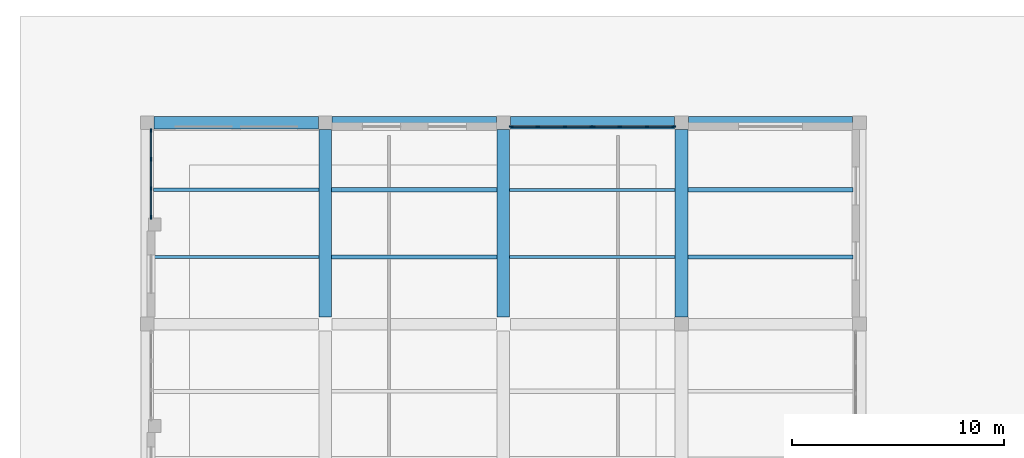
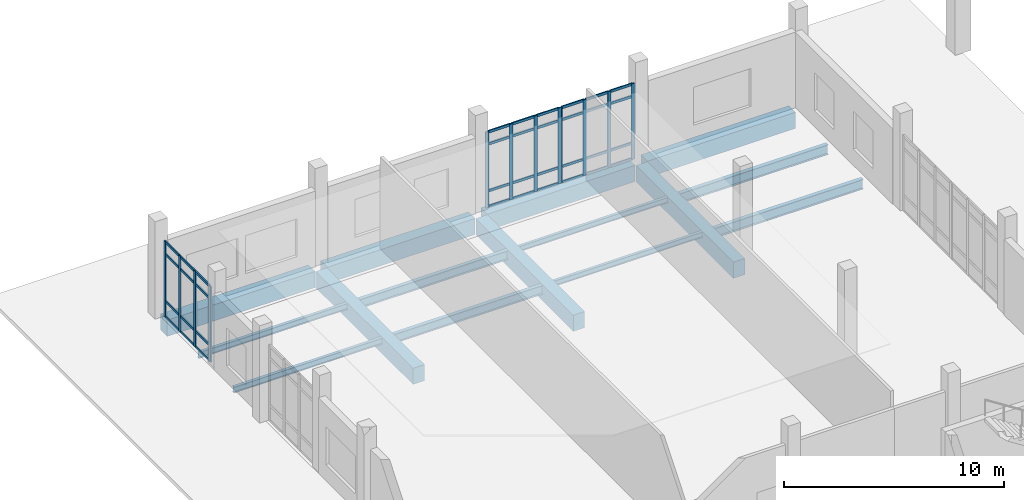
# One storey, part 24 of 79: 48 members, 15 beams, 3 elements without a shape of their own.
"""IFC4 building model written with IfcOpenShell, lengths in metres."""

from ifc_helpers import new_model, si_unit, direction, frame, origin, origin_2d, place, context, subcontext, project, spatial, rectangle, i_section, extrude, material, layer, layer_set, material_profile, profile_set, type_object, element, aggregate, save


model = new_model("IFC4")

# Units and contexts
model_context = context("Model", 3, precision=1e-05, world=origin(), true_north=direction((0.0, 1.0)))
body_context = subcontext(model_context, "Body", "Model", "MODEL_VIEW")
ifc_project = project(units=[si_unit("LENGTHUNIT", "METRE"), si_unit("AREAUNIT", "SQUARE_METRE"), si_unit("VOLUMEUNIT", "CUBIC_METRE"), si_unit("PLANEANGLEUNIT", "RADIAN"), si_unit("MASSUNIT", "GRAM", prefix="KILO")], contexts=[model_context])

# Site, building, storey
site_placement = place(None, origin())
site = spatial("IfcSite", under=ifc_project, at=site_placement, CompositionType="ELEMENT")
building_placement = place(site_placement, origin())
building = spatial("IfcBuilding", under=site, at=building_placement, Name="Kelarvand Opera House", CompositionType="ELEMENT")
storey_placement = place(building_placement, origin())
storey = spatial("IfcBuildingStorey", under=building, at=storey_placement, Name="L00", CompositionType="ELEMENT", Elevation=0.0)

# Curtain wall, members
ifc_material_1 = material(Name="Thermally broken aluminium and low-E glazing", Category="aluminium")
ifc_layer_1 = layer(ifc_material_1, 0.179931640625, Name="Thermally broken aluminium and low-E glazing", Category="aluminium")
ifc_layer_set_1 = layer_set([ifc_layer_1], Name="Thermally broken aluminium and low-E glazing")
curtain_wall_type_1 = type_object("IfcCurtainWallType", Name="Unitised Low-E Curtain Wall 3861x4200 Mod 1350 CWF-12", PredefinedType="USERDEFINED", material=ifc_layer_set_1)
curtain_wall_1_placement = place(storey_placement, origin())
curtain_wall_1 = element("IfcCurtainWall", 1, at=curtain_wall_1_placement, inside=storey, type_object=curtain_wall_type_1, Name="V3 L00 Curtain Wall CWF-12 (41)", ObjectType="UNITISED CURTAIN WALL", PredefinedType="USERDEFINED")
ifc_material_2 = material(Name="Thermally broken anodised aluminium", Category="aluminium")
ifc_material_profile_1 = material_profile(ifc_material_2, rectangle(XDim=0.06494140625, YDim=0.179931640625, at=origin_2d()), Name="ALU MULLION 65x180", Category="aluminium")
ifc_profile_set_1 = profile_set([ifc_material_profile_1], Name="Thermally broken anodised aluminium")
member_type_1 = type_object("IfcMemberType", Name="Curtain Wall Mullion 65x180 Aluminium", PredefinedType="MULLION", material=ifc_profile_set_1)
member_1_placement = place(storey_placement, frame((26.16748046875, 124.820068359375, 0.0), z_axis=(0.0, 0.0, 1.0), x_axis=(0.0, 1.0, 0.0)))
member_1 = element("IfcMember", 2, at=member_1_placement, type_object=member_type_1, Name="CWF-12 mullion 1", PredefinedType="MULLION", context=body_context, shape_type="SweptSolid", body=[
    extrude(rectangle(XDim=0.06494140625, YDim=0.179931640625, at=origin_2d()), origin(), (0.0, 0.0, 1.0), 4.199951171875),
])
member_2_placement = place(storey_placement, frame((27.422119140625, 124.820068359375, 0.0), z_axis=(0.0, 0.0, 1.0), x_axis=(0.0, 1.0, 0.0)))
member_2 = element("IfcMember", 3, at=member_2_placement, type_object=member_type_1, Name="CWF-12 mullion 2", PredefinedType="MULLION", context=body_context, shape_type="SweptSolid", body=[
    extrude(rectangle(XDim=0.06494140625, YDim=0.179931640625, at=origin_2d()), origin(), (0.0, 0.0, 1.0), 4.199951171875),
])
member_3_placement = place(storey_placement, frame((28.708984375, 124.820068359375, 0.0), z_axis=(0.0, 0.0, 1.0), x_axis=(0.0, 1.0, 0.0)))
member_3 = element("IfcMember", 4, at=member_3_placement, type_object=member_type_1, Name="CWF-12 mullion 3", PredefinedType="MULLION", context=body_context, shape_type="SweptSolid", body=[
    extrude(rectangle(XDim=0.06494140625, YDim=0.179931640625, at=origin_2d()), origin(), (0.0, 0.0, 1.0), 4.199951171875),
])
member_4_placement = place(storey_placement, frame((29.96337890625, 124.820068359375, 0.0), z_axis=(0.0, 0.0, 1.0), x_axis=(0.0, 1.0, 0.0)))
member_4 = element("IfcMember", 5, at=member_4_placement, type_object=member_type_1, Name="CWF-12 mullion 4", PredefinedType="MULLION", context=body_context, shape_type="SweptSolid", body=[
    extrude(rectangle(XDim=0.06494140625, YDim=0.179931640625, at=origin_2d()), origin(), (0.0, 0.0, 1.0), 4.199951171875),
])

curtain_wall_2_placement = place(storey_placement, origin())
curtain_wall_2 = element("IfcCurtainWall", 6, at=curtain_wall_2_placement, inside=storey, type_object=curtain_wall_type_1, Name="V3 L00 Curtain Wall CWF-12 (42)", ObjectType="UNITISED CURTAIN WALL", PredefinedType="USERDEFINED")
member_5_placement = place(storey_placement, frame((30.032470703125, 124.820068359375, 0.0), z_axis=(0.0, 0.0, 1.0), x_axis=(0.0, 1.0, 0.0)))
member_5 = element("IfcMember", 7, at=member_5_placement, type_object=member_type_1, Name="CWF-12 mullion 1", PredefinedType="MULLION", context=body_context, shape_type="SweptSolid", body=[
    extrude(rectangle(XDim=0.06494140625, YDim=0.179931640625, at=origin_2d()), origin(), (0.0, 0.0, 1.0), 4.199951171875),
])
member_6_placement = place(storey_placement, frame((31.288330078125, 124.820068359375, 0.0), z_axis=(0.0, 0.0, 1.0), x_axis=(0.0, 1.0, 0.0)))
member_6 = element("IfcMember", 8, at=member_6_placement, type_object=member_type_1, Name="CWF-12 mullion 2", PredefinedType="MULLION", context=body_context, shape_type="SweptSolid", body=[
    extrude(rectangle(XDim=0.06494140625, YDim=0.179931640625, at=origin_2d()), origin(), (0.0, 0.0, 1.0), 4.199951171875),
])
member_7_placement = place(storey_placement, frame((32.57666015625, 124.820068359375, 0.0), z_axis=(0.0, 0.0, 1.0), x_axis=(0.0, 1.0, 0.0)))
member_7 = element("IfcMember", 9, at=member_7_placement, type_object=member_type_1, Name="CWF-12 mullion 3", PredefinedType="MULLION", context=body_context, shape_type="SweptSolid", body=[
    extrude(rectangle(XDim=0.06494140625, YDim=0.179931640625, at=origin_2d()), origin(), (0.0, 0.0, 1.0), 4.199951171875),
])
member_8_placement = place(storey_placement, frame((33.83251953125, 124.820068359375, 0.0), z_axis=(0.0, 0.0, 1.0), x_axis=(0.0, 1.0, 0.0)))
member_8 = element("IfcMember", 10, at=member_8_placement, type_object=member_type_1, Name="CWF-12 mullion 4", PredefinedType="MULLION", context=body_context, shape_type="SweptSolid", body=[
    extrude(rectangle(XDim=0.06494140625, YDim=0.179931640625, at=origin_2d()), origin(), (0.0, 0.0, 1.0), 4.199951171875),
])

ifc_layer_2 = layer(ifc_material_1, 0.179931640625, Name="Thermally broken aluminium and low-E glazing", Category="aluminium")
ifc_layer_set_2 = layer_set([ifc_layer_2], Name="Thermally broken aluminium and low-E glazing")
curtain_wall_type_2 = type_object("IfcCurtainWallType", Name="Unitised Low-E Curtain Wall 4155x4200 Mod 1350 CWF-13", PredefinedType="USERDEFINED", material=ifc_layer_set_2)
curtain_wall_3_placement = place(storey_placement, origin())
curtain_wall_3 = element("IfcCurtainWall", 11, at=curtain_wall_3_placement, inside=storey, type_object=curtain_wall_type_2, Name="V3 L00 Curtain Wall CWF-13 (44)", ObjectType="UNITISED CURTAIN WALL", PredefinedType="USERDEFINED")
member_9_placement = place(storey_placement, frame((9.179931640625, 120.54248046875, 0.0), z_axis=(0.0, 0.0, 1.0), x_axis=(-1.0, 0.0, 0.0)))
member_9 = element("IfcMember", 12, at=member_9_placement, type_object=member_type_1, Name="CWF-13 mullion 1", PredefinedType="MULLION", context=body_context, shape_type="SweptSolid", body=[
    extrude(rectangle(XDim=0.06494140625, YDim=0.179931640625, at=origin_2d()), origin(), (0.0, 0.0, 1.0), 4.199951171875),
])
member_10_placement = place(storey_placement, frame((9.179931640625, 121.89501953125, 0.0), z_axis=(0.0, 0.0, 1.0), x_axis=(-1.0, 0.0, 0.0)))
member_10 = element("IfcMember", 13, at=member_10_placement, type_object=member_type_1, Name="CWF-13 mullion 2", PredefinedType="MULLION", context=body_context, shape_type="SweptSolid", body=[
    extrude(rectangle(XDim=0.06494140625, YDim=0.179931640625, at=origin_2d()), origin(), (0.0, 0.0, 1.0), 4.199951171875),
])
member_11_placement = place(storey_placement, frame((9.179931640625, 123.280029296875, 0.0), z_axis=(0.0, 0.0, 1.0), x_axis=(-1.0, 0.0, 0.0)))
member_11 = element("IfcMember", 14, at=member_11_placement, type_object=member_type_1, Name="CWF-13 mullion 3", PredefinedType="MULLION", context=body_context, shape_type="SweptSolid", body=[
    extrude(rectangle(XDim=0.06494140625, YDim=0.179931640625, at=origin_2d()), origin(), (0.0, 0.0, 1.0), 4.199951171875),
])
member_12_placement = place(storey_placement, frame((9.179931640625, 124.632568359375, 0.0), z_axis=(0.0, 0.0, 1.0), x_axis=(-1.0, 0.0, 0.0)))
member_12 = element("IfcMember", 15, at=member_12_placement, type_object=member_type_1, Name="CWF-13 mullion 4", PredefinedType="MULLION", context=body_context, shape_type="SweptSolid", body=[
    extrude(rectangle(XDim=0.06494140625, YDim=0.179931640625, at=origin_2d()), origin(), (0.0, 0.0, 1.0), 4.199951171875),
])

# Member
ifc_material_profile_2 = material_profile(ifc_material_2, rectangle(XDim=0.06494140625, YDim=0.139892578125, at=origin_2d()), Name="ALU TRANSOM 65x140", Category="aluminium")
ifc_profile_set_2 = profile_set([ifc_material_profile_2], Name="Thermally broken anodised aluminium")
member_type_2 = type_object("IfcMemberType", Name="Curtain Wall Transom 65x140 Aluminium", PredefinedType="USERDEFINED", material=ifc_profile_set_2)
member_13_placement = place(storey_placement, frame((26.199951171875, 124.820068359375, 0.032470703125), z_axis=(1.0, 0.0, 0.0), x_axis=(0.0, 1.0, 0.0)))
member_13 = element("IfcMember", 16, at=member_13_placement, type_object=member_type_2, Name="CWF-12 transom 1.1", ObjectType="TRANSOM", PredefinedType="USERDEFINED", context=body_context, shape_type="SweptSolid", body=[
    extrude(rectangle(XDim=0.06494140625, YDim=0.139892578125, at=origin_2d()), origin(), (0.0, 0.0, 1.0), 1.189453125),
])

member_14_placement = place(storey_placement, frame((26.199951171875, 124.820068359375, 0.89990234375), z_axis=(1.0, 0.0, 0.0), x_axis=(0.0, 1.0, 0.0)))
member_14 = element("IfcMember", 17, at=member_14_placement, type_object=member_type_2, Name="CWF-12 transom 1.2", ObjectType="TRANSOM", PredefinedType="USERDEFINED", context=body_context, shape_type="SweptSolid", body=[
    extrude(rectangle(XDim=0.06494140625, YDim=0.139892578125, at=origin_2d()), origin(), (0.0, 0.0, 1.0), 1.189453125),
])

member_15_placement = place(storey_placement, frame((26.199951171875, 124.820068359375, 3.5), z_axis=(1.0, 0.0, 0.0), x_axis=(0.0, 1.0, 0.0)))
member_15 = element("IfcMember", 18, at=member_15_placement, type_object=member_type_2, Name="CWF-12 transom 1.3", ObjectType="TRANSOM", PredefinedType="USERDEFINED", context=body_context, shape_type="SweptSolid", body=[
    extrude(rectangle(XDim=0.06494140625, YDim=0.139892578125, at=origin_2d()), origin(), (0.0, 0.0, 1.0), 1.189453125),
])

member_16_placement = place(storey_placement, frame((26.199951171875, 124.820068359375, 4.16748046875), z_axis=(1.0, 0.0, 0.0), x_axis=(0.0, 1.0, 0.0)))
member_16 = element("IfcMember", 19, at=member_16_placement, type_object=member_type_2, Name="CWF-12 transom 1.4", ObjectType="TRANSOM", PredefinedType="USERDEFINED", context=body_context, shape_type="SweptSolid", body=[
    extrude(rectangle(XDim=0.06494140625, YDim=0.139892578125, at=origin_2d()), origin(), (0.0, 0.0, 1.0), 1.189453125),
])

member_17_placement = place(storey_placement, frame((27.45458984375, 124.820068359375, 0.032470703125), z_axis=(1.0, 0.0, 0.0), x_axis=(0.0, 1.0, 0.0)))
member_17 = element("IfcMember", 20, at=member_17_placement, type_object=member_type_2, Name="CWF-12 transom 2.1", ObjectType="TRANSOM", PredefinedType="USERDEFINED", context=body_context, shape_type="SweptSolid", body=[
    extrude(rectangle(XDim=0.06494140625, YDim=0.139892578125, at=origin_2d()), origin(), (0.0, 0.0, 1.0), 1.221923828125),
])

member_18_placement = place(storey_placement, frame((27.45458984375, 124.820068359375, 0.89990234375), z_axis=(1.0, 0.0, 0.0), x_axis=(0.0, 1.0, 0.0)))
member_18 = element("IfcMember", 21, at=member_18_placement, type_object=member_type_2, Name="CWF-12 transom 2.2", ObjectType="TRANSOM", PredefinedType="USERDEFINED", context=body_context, shape_type="SweptSolid", body=[
    extrude(rectangle(XDim=0.06494140625, YDim=0.139892578125, at=origin_2d()), origin(), (0.0, 0.0, 1.0), 1.221923828125),
])

member_19_placement = place(storey_placement, frame((27.45458984375, 124.820068359375, 3.5), z_axis=(1.0, 0.0, 0.0), x_axis=(0.0, 1.0, 0.0)))
member_19 = element("IfcMember", 22, at=member_19_placement, type_object=member_type_2, Name="CWF-12 transom 2.3", ObjectType="TRANSOM", PredefinedType="USERDEFINED", context=body_context, shape_type="SweptSolid", body=[
    extrude(rectangle(XDim=0.06494140625, YDim=0.139892578125, at=origin_2d()), origin(), (0.0, 0.0, 1.0), 1.221923828125),
])

member_20_placement = place(storey_placement, frame((27.45458984375, 124.820068359375, 4.16748046875), z_axis=(1.0, 0.0, 0.0), x_axis=(0.0, 1.0, 0.0)))
member_20 = element("IfcMember", 23, at=member_20_placement, type_object=member_type_2, Name="CWF-12 transom 2.4", ObjectType="TRANSOM", PredefinedType="USERDEFINED", context=body_context, shape_type="SweptSolid", body=[
    extrude(rectangle(XDim=0.06494140625, YDim=0.139892578125, at=origin_2d()), origin(), (0.0, 0.0, 1.0), 1.221923828125),
])

member_21_placement = place(storey_placement, frame((28.741455078125, 124.820068359375, 0.032470703125), z_axis=(1.0, 0.0, 0.0), x_axis=(0.0, 1.0, 0.0)))
member_21 = element("IfcMember", 24, at=member_21_placement, type_object=member_type_2, Name="CWF-12 transom 3.1", ObjectType="TRANSOM", PredefinedType="USERDEFINED", context=body_context, shape_type="SweptSolid", body=[
    extrude(rectangle(XDim=0.06494140625, YDim=0.139892578125, at=origin_2d()), origin(), (0.0, 0.0, 1.0), 1.189453125),
])

member_22_placement = place(storey_placement, frame((28.741455078125, 124.820068359375, 0.89990234375), z_axis=(1.0, 0.0, 0.0), x_axis=(0.0, 1.0, 0.0)))
member_22 = element("IfcMember", 25, at=member_22_placement, type_object=member_type_2, Name="CWF-12 transom 3.2", ObjectType="TRANSOM", PredefinedType="USERDEFINED", context=body_context, shape_type="SweptSolid", body=[
    extrude(rectangle(XDim=0.06494140625, YDim=0.139892578125, at=origin_2d()), origin(), (0.0, 0.0, 1.0), 1.189453125),
])

member_23_placement = place(storey_placement, frame((28.741455078125, 124.820068359375, 3.5), z_axis=(1.0, 0.0, 0.0), x_axis=(0.0, 1.0, 0.0)))
member_23 = element("IfcMember", 26, at=member_23_placement, type_object=member_type_2, Name="CWF-12 transom 3.3", ObjectType="TRANSOM", PredefinedType="USERDEFINED", context=body_context, shape_type="SweptSolid", body=[
    extrude(rectangle(XDim=0.06494140625, YDim=0.139892578125, at=origin_2d()), origin(), (0.0, 0.0, 1.0), 1.189453125),
])

member_24_placement = place(storey_placement, frame((28.741455078125, 124.820068359375, 4.16748046875), z_axis=(1.0, 0.0, 0.0), x_axis=(0.0, 1.0, 0.0)))
member_24 = element("IfcMember", 27, at=member_24_placement, type_object=member_type_2, Name="CWF-12 transom 3.4", ObjectType="TRANSOM", PredefinedType="USERDEFINED", context=body_context, shape_type="SweptSolid", body=[
    extrude(rectangle(XDim=0.06494140625, YDim=0.139892578125, at=origin_2d()), origin(), (0.0, 0.0, 1.0), 1.189453125),
])

aggregate(curtain_wall_1, [member_1, member_2, member_3, member_4, member_13, member_14, member_15, member_16, member_17, member_18, member_19, member_20, member_21, member_22, member_23, member_24])

member_25_placement = place(storey_placement, frame((30.06494140625, 124.820068359375, 0.032470703125), z_axis=(1.0, 0.0, 0.0), x_axis=(0.0, 1.0, 0.0)))
member_25 = element("IfcMember", 28, at=member_25_placement, type_object=member_type_2, Name="CWF-12 transom 1.1", ObjectType="TRANSOM", PredefinedType="USERDEFINED", context=body_context, shape_type="SweptSolid", body=[
    extrude(rectangle(XDim=0.06494140625, YDim=0.139892578125, at=origin_2d()), origin(), (0.0, 0.0, 1.0), 1.19091796875),
])

member_26_placement = place(storey_placement, frame((30.06494140625, 124.820068359375, 0.89990234375), z_axis=(1.0, 0.0, 0.0), x_axis=(0.0, 1.0, 0.0)))
member_26 = element("IfcMember", 29, at=member_26_placement, type_object=member_type_2, Name="CWF-12 transom 1.2", ObjectType="TRANSOM", PredefinedType="USERDEFINED", context=body_context, shape_type="SweptSolid", body=[
    extrude(rectangle(XDim=0.06494140625, YDim=0.139892578125, at=origin_2d()), origin(), (0.0, 0.0, 1.0), 1.19091796875),
])

member_27_placement = place(storey_placement, frame((30.06494140625, 124.820068359375, 3.5), z_axis=(1.0, 0.0, 0.0), x_axis=(0.0, 1.0, 0.0)))
member_27 = element("IfcMember", 30, at=member_27_placement, type_object=member_type_2, Name="CWF-12 transom 1.3", ObjectType="TRANSOM", PredefinedType="USERDEFINED", context=body_context, shape_type="SweptSolid", body=[
    extrude(rectangle(XDim=0.06494140625, YDim=0.139892578125, at=origin_2d()), origin(), (0.0, 0.0, 1.0), 1.19091796875),
])

member_28_placement = place(storey_placement, frame((30.06494140625, 124.820068359375, 4.16748046875), z_axis=(1.0, 0.0, 0.0), x_axis=(0.0, 1.0, 0.0)))
member_28 = element("IfcMember", 31, at=member_28_placement, type_object=member_type_2, Name="CWF-12 transom 1.4", ObjectType="TRANSOM", PredefinedType="USERDEFINED", context=body_context, shape_type="SweptSolid", body=[
    extrude(rectangle(XDim=0.06494140625, YDim=0.139892578125, at=origin_2d()), origin(), (0.0, 0.0, 1.0), 1.19091796875),
])

member_29_placement = place(storey_placement, frame((31.32080078125, 124.820068359375, 0.032470703125), z_axis=(1.0, 0.0, 0.0), x_axis=(0.0, 1.0, 0.0)))
member_29 = element("IfcMember", 32, at=member_29_placement, type_object=member_type_2, Name="CWF-12 transom 2.1", ObjectType="TRANSOM", PredefinedType="USERDEFINED", context=body_context, shape_type="SweptSolid", body=[
    extrude(rectangle(XDim=0.06494140625, YDim=0.139892578125, at=origin_2d()), origin(), (0.0, 0.0, 1.0), 1.223388671875),
])

member_30_placement = place(storey_placement, frame((31.32080078125, 124.820068359375, 0.89990234375), z_axis=(1.0, 0.0, 0.0), x_axis=(0.0, 1.0, 0.0)))
member_30 = element("IfcMember", 33, at=member_30_placement, type_object=member_type_2, Name="CWF-12 transom 2.2", ObjectType="TRANSOM", PredefinedType="USERDEFINED", context=body_context, shape_type="SweptSolid", body=[
    extrude(rectangle(XDim=0.06494140625, YDim=0.139892578125, at=origin_2d()), origin(), (0.0, 0.0, 1.0), 1.223388671875),
])

member_31_placement = place(storey_placement, frame((31.32080078125, 124.820068359375, 3.5), z_axis=(1.0, 0.0, 0.0), x_axis=(0.0, 1.0, 0.0)))
member_31 = element("IfcMember", 34, at=member_31_placement, type_object=member_type_2, Name="CWF-12 transom 2.3", ObjectType="TRANSOM", PredefinedType="USERDEFINED", context=body_context, shape_type="SweptSolid", body=[
    extrude(rectangle(XDim=0.06494140625, YDim=0.139892578125, at=origin_2d()), origin(), (0.0, 0.0, 1.0), 1.223388671875),
])

member_32_placement = place(storey_placement, frame((31.32080078125, 124.820068359375, 4.16748046875), z_axis=(1.0, 0.0, 0.0), x_axis=(0.0, 1.0, 0.0)))
member_32 = element("IfcMember", 35, at=member_32_placement, type_object=member_type_2, Name="CWF-12 transom 2.4", ObjectType="TRANSOM", PredefinedType="USERDEFINED", context=body_context, shape_type="SweptSolid", body=[
    extrude(rectangle(XDim=0.06494140625, YDim=0.139892578125, at=origin_2d()), origin(), (0.0, 0.0, 1.0), 1.223388671875),
])

member_33_placement = place(storey_placement, frame((32.609130859375, 124.820068359375, 0.032470703125), z_axis=(1.0, 0.0, 0.0), x_axis=(0.0, 1.0, 0.0)))
member_33 = element("IfcMember", 36, at=member_33_placement, type_object=member_type_2, Name="CWF-12 transom 3.1", ObjectType="TRANSOM", PredefinedType="USERDEFINED", context=body_context, shape_type="SweptSolid", body=[
    extrude(rectangle(XDim=0.06494140625, YDim=0.139892578125, at=origin_2d()), origin(), (0.0, 0.0, 1.0), 1.19091796875),
])

member_34_placement = place(storey_placement, frame((32.609130859375, 124.820068359375, 0.89990234375), z_axis=(1.0, 0.0, 0.0), x_axis=(0.0, 1.0, 0.0)))
member_34 = element("IfcMember", 37, at=member_34_placement, type_object=member_type_2, Name="CWF-12 transom 3.2", ObjectType="TRANSOM", PredefinedType="USERDEFINED", context=body_context, shape_type="SweptSolid", body=[
    extrude(rectangle(XDim=0.06494140625, YDim=0.139892578125, at=origin_2d()), origin(), (0.0, 0.0, 1.0), 1.19091796875),
])

member_35_placement = place(storey_placement, frame((32.609130859375, 124.820068359375, 3.5), z_axis=(1.0, 0.0, 0.0), x_axis=(0.0, 1.0, 0.0)))
member_35 = element("IfcMember", 38, at=member_35_placement, type_object=member_type_2, Name="CWF-12 transom 3.3", ObjectType="TRANSOM", PredefinedType="USERDEFINED", context=body_context, shape_type="SweptSolid", body=[
    extrude(rectangle(XDim=0.06494140625, YDim=0.139892578125, at=origin_2d()), origin(), (0.0, 0.0, 1.0), 1.19091796875),
])

member_36_placement = place(storey_placement, frame((32.609130859375, 124.820068359375, 4.16748046875), z_axis=(1.0, 0.0, 0.0), x_axis=(0.0, 1.0, 0.0)))
member_36 = element("IfcMember", 39, at=member_36_placement, type_object=member_type_2, Name="CWF-12 transom 3.4", ObjectType="TRANSOM", PredefinedType="USERDEFINED", context=body_context, shape_type="SweptSolid", body=[
    extrude(rectangle(XDim=0.06494140625, YDim=0.139892578125, at=origin_2d()), origin(), (0.0, 0.0, 1.0), 1.19091796875),
])

aggregate(curtain_wall_2, [member_5, member_6, member_7, member_8, member_25, member_26, member_27, member_28, member_29, member_30, member_31, member_32, member_33, member_34, member_35, member_36])

member_37_placement = place(storey_placement, frame((9.179931640625, 120.574951171875, 0.032470703125), z_axis=(0.0, 1.0, 0.0), x_axis=(-1.0, 0.0, 0.0)))
member_37 = element("IfcMember", 40, at=member_37_placement, type_object=member_type_2, Name="CWF-13 transom 1.1", ObjectType="TRANSOM", PredefinedType="USERDEFINED", context=body_context, shape_type="SweptSolid", body=[
    extrude(rectangle(XDim=0.06494140625, YDim=0.139892578125, at=origin_2d()), origin(), (0.0, 0.0, 1.0), 1.28759765625),
])

member_38_placement = place(storey_placement, frame((9.179931640625, 120.574951171875, 0.89990234375), z_axis=(0.0, 1.0, 0.0), x_axis=(-1.0, 0.0, 0.0)))
member_38 = element("IfcMember", 41, at=member_38_placement, type_object=member_type_2, Name="CWF-13 transom 1.2", ObjectType="TRANSOM", PredefinedType="USERDEFINED", context=body_context, shape_type="SweptSolid", body=[
    extrude(rectangle(XDim=0.06494140625, YDim=0.139892578125, at=origin_2d()), origin(), (0.0, 0.0, 1.0), 1.28759765625),
])

member_39_placement = place(storey_placement, frame((9.179931640625, 120.574951171875, 3.5), z_axis=(0.0, 1.0, 0.0), x_axis=(-1.0, 0.0, 0.0)))
member_39 = element("IfcMember", 42, at=member_39_placement, type_object=member_type_2, Name="CWF-13 transom 1.3", ObjectType="TRANSOM", PredefinedType="USERDEFINED", context=body_context, shape_type="SweptSolid", body=[
    extrude(rectangle(XDim=0.06494140625, YDim=0.139892578125, at=origin_2d()), origin(), (0.0, 0.0, 1.0), 1.28759765625),
])

member_40_placement = place(storey_placement, frame((9.179931640625, 120.574951171875, 4.16748046875), z_axis=(0.0, 1.0, 0.0), x_axis=(-1.0, 0.0, 0.0)))
member_40 = element("IfcMember", 43, at=member_40_placement, type_object=member_type_2, Name="CWF-13 transom 1.4", ObjectType="TRANSOM", PredefinedType="USERDEFINED", context=body_context, shape_type="SweptSolid", body=[
    extrude(rectangle(XDim=0.06494140625, YDim=0.139892578125, at=origin_2d()), origin(), (0.0, 0.0, 1.0), 1.28759765625),
])

member_41_placement = place(storey_placement, frame((9.179931640625, 121.927490234375, 0.032470703125), z_axis=(0.0, 1.0, 0.0), x_axis=(-1.0, 0.0, 0.0)))
member_41 = element("IfcMember", 44, at=member_41_placement, type_object=member_type_2, Name="CWF-13 transom 2.1", ObjectType="TRANSOM", PredefinedType="USERDEFINED", context=body_context, shape_type="SweptSolid", body=[
    extrude(rectangle(XDim=0.06494140625, YDim=0.139892578125, at=origin_2d()), origin(), (0.0, 0.0, 1.0), 1.320068359375),
])

member_42_placement = place(storey_placement, frame((9.179931640625, 121.927490234375, 0.89990234375), z_axis=(0.0, 1.0, 0.0), x_axis=(-1.0, 0.0, 0.0)))
member_42 = element("IfcMember", 45, at=member_42_placement, type_object=member_type_2, Name="CWF-13 transom 2.2", ObjectType="TRANSOM", PredefinedType="USERDEFINED", context=body_context, shape_type="SweptSolid", body=[
    extrude(rectangle(XDim=0.06494140625, YDim=0.139892578125, at=origin_2d()), origin(), (0.0, 0.0, 1.0), 1.320068359375),
])

member_43_placement = place(storey_placement, frame((9.179931640625, 121.927490234375, 3.5), z_axis=(0.0, 1.0, 0.0), x_axis=(-1.0, 0.0, 0.0)))
member_43 = element("IfcMember", 46, at=member_43_placement, type_object=member_type_2, Name="CWF-13 transom 2.3", ObjectType="TRANSOM", PredefinedType="USERDEFINED", context=body_context, shape_type="SweptSolid", body=[
    extrude(rectangle(XDim=0.06494140625, YDim=0.139892578125, at=origin_2d()), origin(), (0.0, 0.0, 1.0), 1.320068359375),
])

member_44_placement = place(storey_placement, frame((9.179931640625, 121.927490234375, 4.16748046875), z_axis=(0.0, 1.0, 0.0), x_axis=(-1.0, 0.0, 0.0)))
member_44 = element("IfcMember", 47, at=member_44_placement, type_object=member_type_2, Name="CWF-13 transom 2.4", ObjectType="TRANSOM", PredefinedType="USERDEFINED", context=body_context, shape_type="SweptSolid", body=[
    extrude(rectangle(XDim=0.06494140625, YDim=0.139892578125, at=origin_2d()), origin(), (0.0, 0.0, 1.0), 1.320068359375),
])

member_45_placement = place(storey_placement, frame((9.179931640625, 123.3125, 0.032470703125), z_axis=(0.0, 1.0, 0.0), x_axis=(-1.0, 0.0, 0.0)))
member_45 = element("IfcMember", 48, at=member_45_placement, type_object=member_type_2, Name="CWF-13 transom 3.1", ObjectType="TRANSOM", PredefinedType="USERDEFINED", context=body_context, shape_type="SweptSolid", body=[
    extrude(rectangle(XDim=0.06494140625, YDim=0.139892578125, at=origin_2d()), origin(), (0.0, 0.0, 1.0), 1.28759765625),
])

member_46_placement = place(storey_placement, frame((9.179931640625, 123.3125, 0.89990234375), z_axis=(0.0, 1.0, 0.0), x_axis=(-1.0, 0.0, 0.0)))
member_46 = element("IfcMember", 49, at=member_46_placement, type_object=member_type_2, Name="CWF-13 transom 3.2", ObjectType="TRANSOM", PredefinedType="USERDEFINED", context=body_context, shape_type="SweptSolid", body=[
    extrude(rectangle(XDim=0.06494140625, YDim=0.139892578125, at=origin_2d()), origin(), (0.0, 0.0, 1.0), 1.28759765625),
])

member_47_placement = place(storey_placement, frame((9.179931640625, 123.3125, 3.5), z_axis=(0.0, 1.0, 0.0), x_axis=(-1.0, 0.0, 0.0)))
member_47 = element("IfcMember", 50, at=member_47_placement, type_object=member_type_2, Name="CWF-13 transom 3.3", ObjectType="TRANSOM", PredefinedType="USERDEFINED", context=body_context, shape_type="SweptSolid", body=[
    extrude(rectangle(XDim=0.06494140625, YDim=0.139892578125, at=origin_2d()), origin(), (0.0, 0.0, 1.0), 1.28759765625),
])

member_48_placement = place(storey_placement, frame((9.179931640625, 123.3125, 4.16748046875), z_axis=(0.0, 1.0, 0.0), x_axis=(-1.0, 0.0, 0.0)))
member_48 = element("IfcMember", 51, at=member_48_placement, type_object=member_type_2, Name="CWF-13 transom 3.4", ObjectType="TRANSOM", PredefinedType="USERDEFINED", context=body_context, shape_type="SweptSolid", body=[
    extrude(rectangle(XDim=0.06494140625, YDim=0.139892578125, at=origin_2d()), origin(), (0.0, 0.0, 1.0), 1.28759765625),
])

aggregate(curtain_wall_3, [member_9, member_10, member_11, member_12, member_37, member_38, member_39, member_40, member_41, member_42, member_43, member_44, member_45, member_46, member_47, member_48])

# Beams
ifc_material_3 = material(Name="Concrete C40/50", Category="concrete")
ifc_material_profile_3 = material_profile(ifc_material_3, rectangle(XDim=0.60009765625, YDim=0.89990234375, at=origin_2d()), Name="RC 600x900", Category="concrete")
ifc_profile_set_3 = profile_set([ifc_material_profile_3], Name="Concrete C40/50")
beam_type_1 = type_object("IfcBeamType", Name="Structural Beam RC 600x900 BM-RC600x900", PredefinedType="BEAM", material=ifc_profile_set_3)
for number, where, z_axis, x_axis, name in (
    (52, (17.39990234375, 115.824951171875, -0.75), (0.0, 1.0, 0.0), (-1.0, 0.0, 0.0), "V3 L00 Beam BM-RC600x900"),
    (53, (25.800048828125, 115.824951171875, -0.75), (0.0, 1.0, 0.0), (-1.0, 0.0, 0.0), "V3 L00 Beam BM-RC600x900"),
    (54, (34.199951171875, 115.824951171875, -0.75), (0.0, 1.0, 0.0), (-1.0, 0.0, 0.0), "V3 L00 Beam BM-RC600x900"),
):
    element("IfcBeam", number, at=place(storey_placement, frame(where, z_axis=z_axis, x_axis=x_axis)), inside=storey, type_object=beam_type_1, Name=name, PredefinedType="BEAM", context=body_context, shape_type="SweptSolid", body=[
        extrude(rectangle(XDim=0.60009765625, YDim=0.89990234375, at=origin_2d()), origin(), (0.0, 0.0, 1.0), 8.85009765625),
    ])
ifc_material_4 = material(Name="Steel S355", Category="steel")
ifc_material_profile_4 = material_profile(ifc_material_4, i_section(OverallWidth=0.14990234375, OverallDepth=0.300048828125, WebThickness=0.007080078125, FlangeThickness=0.0107421875, at=origin_2d()), Name="IPE 300", Category="steel")
ifc_profile_set_4 = profile_set([ifc_material_profile_4], Name="Steel S355")
beam_type_2 = type_object("IfcBeamType", Name="Structural Joist IPE 300 JS-IPE300", PredefinedType="JOIST", material=ifc_profile_set_4)
for number, where, z_axis, x_axis, name in (
    (55, (26.10009765625, 118.666748046875, -0.449951171875), (1.0, 0.0, 0.0), (0.0, 1.0, 0.0), "V3 L00 Beam JS-IPE300"),
    (56, (26.10009765625, 121.833251953125, -0.449951171875), (1.0, 0.0, 0.0), (0.0, 1.0, 0.0), "V3 L00 Beam JS-IPE300"),
):
    element("IfcBeam", number, at=place(storey_placement, frame(where, z_axis=z_axis, x_axis=x_axis)), inside=storey, type_object=beam_type_2, Name=name, PredefinedType="JOIST", context=body_context, shape_type="SweptSolid", body=[
        extrude(i_section(OverallWidth=0.14990234375, OverallDepth=0.300048828125, WebThickness=0.007080078125, FlangeThickness=0.0107421875, at=origin_2d()), origin(), (0.0, 0.0, 1.0), 7.7998046875),
    ])
ifc_material_profile_5 = material_profile(ifc_material_4, i_section(OverallWidth=0.159912109375, OverallDepth=0.330078125, WebThickness=0.007568359375, FlangeThickness=0.011474609375, at=origin_2d()), Name="IPE 330", Category="steel")
ifc_profile_set_5 = profile_set([ifc_material_profile_5], Name="Steel S355")
beam_type_3 = type_object("IfcBeamType", Name="Structural Joist IPE 330 JS-IPE330", PredefinedType="JOIST", material=ifc_profile_set_5)
for number, where, z_axis, x_axis, name in (
    (57, (9.300048828125, 118.666748046875, -0.465087890625), (1.0, 0.0, 0.0), (0.0, 1.0, 0.0), "V3 L00 Beam JS-IPE330"),
    (58, (9.300048828125, 121.833251953125, -0.465087890625), (1.0, 0.0, 0.0), (0.0, 1.0, 0.0), "V3 L00 Beam JS-IPE330"),
):
    element("IfcBeam", number, at=place(storey_placement, frame(where, z_axis=z_axis, x_axis=x_axis)), inside=storey, type_object=beam_type_3, Name=name, PredefinedType="JOIST", context=body_context, shape_type="SweptSolid", body=[
        extrude(i_section(OverallWidth=0.159912109375, OverallDepth=0.330078125, WebThickness=0.007568359375, FlangeThickness=0.011474609375, at=origin_2d()), origin(), (0.0, 0.0, 1.0), 7.800048828125),
    ])
ifc_material_profile_6 = material_profile(ifc_material_4, i_section(OverallWidth=0.199951171875, OverallDepth=0.5, WebThickness=0.01025390625, FlangeThickness=0.01611328125, at=origin_2d()), Name="IPE 500", Category="steel")
ifc_profile_set_6 = profile_set([ifc_material_profile_6], Name="Steel S355")
beam_type_4 = type_object("IfcBeamType", Name="Structural Joist IPE 500 JS-IPE500", PredefinedType="JOIST", material=ifc_profile_set_6)
for number, where, z_axis, x_axis, name in (
    (59, (17.699951171875, 118.666748046875, -0.550048828125), (1.0, 0.0, 0.0), (0.0, 1.0, 0.0), "V3 L00 Beam JS-IPE500"),
    (60, (17.699951171875, 121.833251953125, -0.550048828125), (1.0, 0.0, 0.0), (0.0, 1.0, 0.0), "V3 L00 Beam JS-IPE500"),
):
    element("IfcBeam", number, at=place(storey_placement, frame(where, z_axis=z_axis, x_axis=x_axis)), inside=storey, type_object=beam_type_4, Name=name, PredefinedType="JOIST", context=body_context, shape_type="SweptSolid", body=[
        extrude(i_section(OverallWidth=0.199951171875, OverallDepth=0.5, WebThickness=0.01025390625, FlangeThickness=0.01611328125, at=origin_2d()), origin(), (0.0, 0.0, 1.0), 7.800048828125),
    ])
ifc_material_profile_7 = material_profile(ifc_material_4, i_section(OverallWidth=0.2099609375, OverallDepth=0.550048828125, WebThickness=0.010986328125, FlangeThickness=0.01708984375, at=origin_2d()), Name="IPE 550", Category="steel")
ifc_profile_set_7 = profile_set([ifc_material_profile_7], Name="Steel S355")
beam_type_5 = type_object("IfcBeamType", Name="Structural Joist IPE 550 JS-IPE550", PredefinedType="JOIST", material=ifc_profile_set_7)
for number, where, z_axis, x_axis, name in (
    (61, (34.5, 118.666748046875, -0.574951171875), (1.0, 0.0, 0.0), (0.0, 1.0, 0.0), "V3 L00 Beam JS-IPE550"),
    (62, (34.5, 121.833251953125, -0.574951171875), (1.0, 0.0, 0.0), (0.0, 1.0, 0.0), "V3 L00 Beam JS-IPE550"),
):
    element("IfcBeam", number, at=place(storey_placement, frame(where, z_axis=z_axis, x_axis=x_axis)), inside=storey, type_object=beam_type_5, Name=name, PredefinedType="JOIST", context=body_context, shape_type="SweptSolid", body=[
        extrude(i_section(OverallWidth=0.2099609375, OverallDepth=0.550048828125, WebThickness=0.010986328125, FlangeThickness=0.01708984375, at=origin_2d()), origin(), (0.0, 0.0, 1.0), 7.800048828125),
    ])
ifc_material_profile_8 = material_profile(ifc_material_3, rectangle(XDim=0.60009765625, YDim=0.89990234375, at=origin_2d()), Name="RC 600x900", Category="concrete")
ifc_profile_set_8 = profile_set([ifc_material_profile_8], Name="Concrete C40/50")
beam_type_6 = type_object("IfcBeamType", Name="Structural Spandrel RC 600x900 SP-RC600x900E", PredefinedType="SPANDREL", material=ifc_profile_set_8)
for number, where, z_axis, x_axis, name in (
    (63, (9.324951171875, 125.0, -0.75), (1.0, 0.0, 0.0), (0.0, 1.0, 0.0), "V3 L00 Beam SP-RC600x900E"),
    (64, (17.72509765625, 125.0, -0.75), (1.0, 0.0, 0.0), (0.0, 1.0, 0.0), "V3 L00 Beam SP-RC600x900E"),
    (65, (26.125, 125.0, -0.75), (1.0, 0.0, 0.0), (0.0, 1.0, 0.0), "V3 L00 Beam SP-RC600x900E"),
    (66, (34.52490234375, 125.0, -0.75), (1.0, 0.0, 0.0), (0.0, 1.0, 0.0), "V3 L00 Beam SP-RC600x900E"),
):
    element("IfcBeam", number, at=place(storey_placement, frame(where, z_axis=z_axis, x_axis=x_axis)), inside=storey, type_object=beam_type_6, Name=name, PredefinedType="SPANDREL", context=body_context, shape_type="SweptSolid", body=[
        extrude(rectangle(XDim=0.60009765625, YDim=0.89990234375, at=origin_2d()), origin(), (0.0, 0.0, 1.0), 7.75),
    ])

save(model, "model.ifc")
